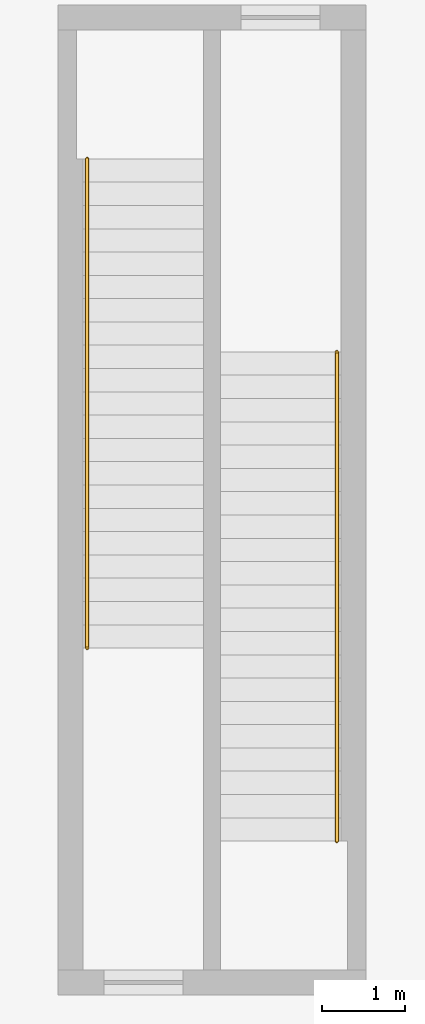
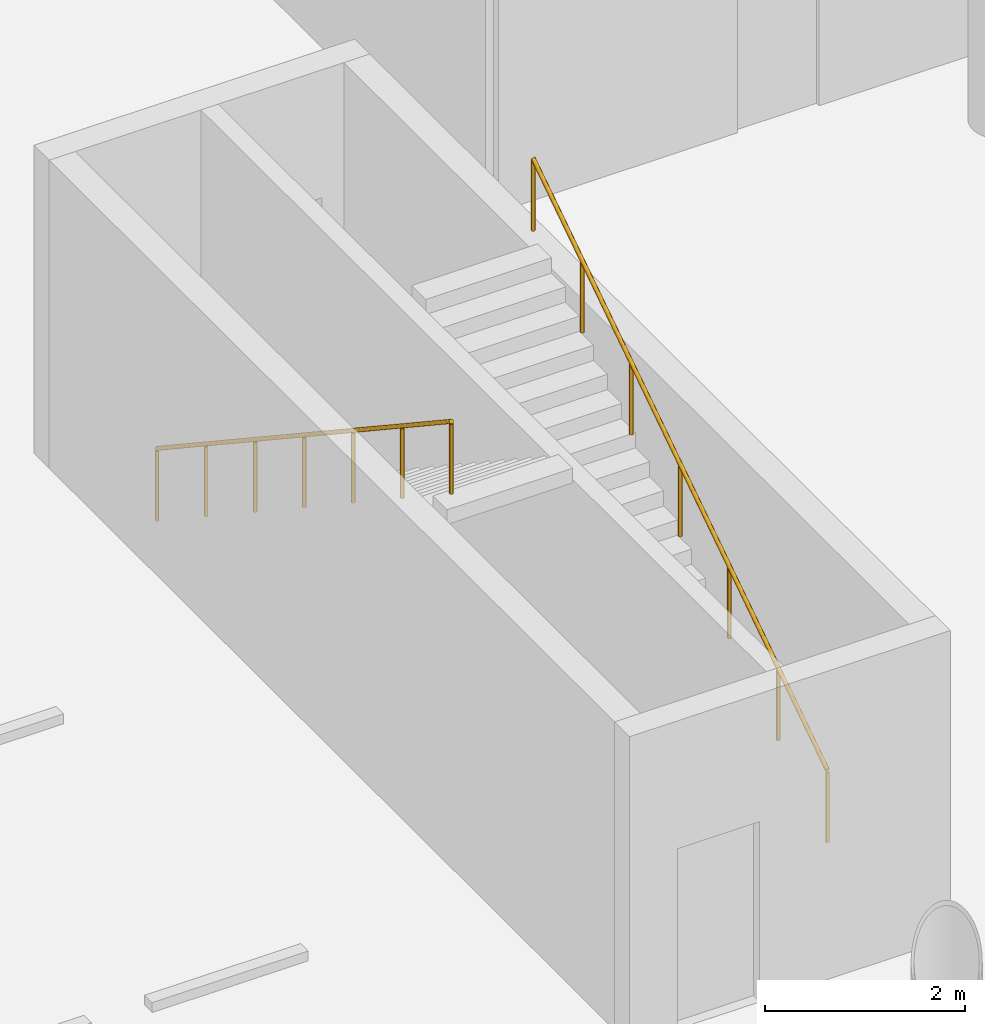
# One storey, part 15 of 15: 2 railings.
"""IFC4 building model written with IfcOpenShell, lengths in metres."""

from ifc_helpers import new_model, si_unit, direction, frame, origin, origin_2d, place, context, subcontext, project, spatial, circle, extrude, material, type_object, element, save


model = new_model("IFC4")

# Units and contexts
model_context = context("Model", 3, precision=1e-05, world=origin(), true_north=direction((0.0, 1.0)))
body_context = subcontext(model_context, "Body", "Model", "MODEL_VIEW")
ifc_project = project(units=[si_unit("LENGTHUNIT", "METRE"), si_unit("AREAUNIT", "SQUARE_METRE"), si_unit("VOLUMEUNIT", "CUBIC_METRE"), si_unit("PLANEANGLEUNIT", "RADIAN"), si_unit("MASSUNIT", "GRAM", prefix="KILO")], contexts=[model_context])

# Site, building, storey
site_placement = place(None, origin())
site = spatial("IfcSite", under=ifc_project, at=site_placement, CompositionType="ELEMENT")
building_placement = place(site_placement, origin())
building = spatial("IfcBuilding", under=site, at=building_placement, Name="Zarrinselat Tower", CompositionType="ELEMENT")
storey_placement = place(building_placement, frame((0.0, 0.0, -4.080078125)))
storey = spatial("IfcBuildingStorey", under=building, at=storey_placement, Name="B01", CompositionType="ELEMENT", Elevation=-4.080078125)

# Railings
ifc_material = material(Name="Steel S355J2", Category="steel")
railing_type = type_object("IfcRailingType", Name="RLG-STAIR-HAND", PredefinedType="HANDRAIL", material=ifc_material)
railing_1_placement = place(storey_placement, frame((69.25, 15.550048828125, 0.185546875)))
element("IfcRailing", 1, at=railing_1_placement, inside=storey, type_object=railing_type, Name="B01 ST-4 stair handrail 1", PredefinedType="HANDRAIL", context=body_context, shape_type="SweptSolid", body=[
    extrude(circle(Radius=0.02392578125, at=origin_2d()), frame((0.0, 0.0, 0.8759765625), z_axis=(0.0, 0.833708162066, 0.55220530648), x_axis=(-1.0, 0.0, 0.0)), (0.0, 0.0, 1.0), 7.052734375),
    extrude(circle(Radius=0.02099609375, at=origin_2d()), origin(), (0.0, 0.0, 1.0), 0.849853515625),
    extrude(circle(Radius=0.02099609375, at=origin_2d()), frame((0.0, 0.97998046875, 0.649169921875)), (0.0, 0.0, 1.0), 0.849853515625),
    extrude(circle(Radius=0.02099609375, at=origin_2d()), frame((0.0, 1.9599609375, 1.298095703125)), (0.0, 0.0, 1.0), 0.849853515625),
    extrude(circle(Radius=0.02099609375, at=origin_2d()), frame((0.0, 2.93994140625, 1.947265625)), (0.0, 0.0, 1.0), 0.849853515625),
    extrude(circle(Radius=0.02099609375, at=origin_2d()), frame((0.0, 3.919921875, 2.596435546875)), (0.0, 0.0, 1.0), 0.849853515625),
    extrude(circle(Radius=0.02099609375, at=origin_2d()), frame((0.0, 4.89990234375, 3.245361328125)), (0.0, 0.0, 1.0), 0.849853515625),
    extrude(circle(Radius=0.02099609375, at=origin_2d()), frame((0.0, 5.8798828125, 3.89453125)), (0.0, 0.0, 1.0), 0.849853515625),
])
railing_2_placement = place(storey_placement, frame((66.25, 23.75, 0.185546875)))
element("IfcRailing", 2, at=railing_2_placement, inside=storey, type_object=railing_type, Name="B01 ST-4 stair handrail 1", PredefinedType="HANDRAIL", context=body_context, shape_type="SweptSolid", body=[
    extrude(circle(Radius=0.02392578125, at=origin_2d()), frame((0.0, 0.0, 0.8759765625), z_axis=(0.0, -0.833708162066, 0.55220530648), x_axis=(1.0, 0.0, 0.0)), (0.0, 0.0, 1.0), 7.052734375),
    extrude(circle(Radius=0.02099609375, at=origin_2d()), origin(), (0.0, 0.0, 1.0), 0.849853515625),
    extrude(circle(Radius=0.02099609375, at=origin_2d()), frame((0.0, -0.97998046875, 0.649169921875)), (0.0, 0.0, 1.0), 0.849853515625),
    extrude(circle(Radius=0.02099609375, at=origin_2d()), frame((0.0, -1.9599609375, 1.298095703125)), (0.0, 0.0, 1.0), 0.849853515625),
    extrude(circle(Radius=0.02099609375, at=origin_2d()), frame((0.0, -2.93994140625, 1.947265625)), (0.0, 0.0, 1.0), 0.849853515625),
    extrude(circle(Radius=0.02099609375, at=origin_2d()), frame((0.0, -3.919921875, 2.596435546875)), (0.0, 0.0, 1.0), 0.849853515625),
    extrude(circle(Radius=0.02099609375, at=origin_2d()), frame((0.0, -4.89990234375, 3.245361328125)), (0.0, 0.0, 1.0), 0.849853515625),
    extrude(circle(Radius=0.02099609375, at=origin_2d()), frame((0.0, -5.8798828125, 3.89453125)), (0.0, 0.0, 1.0), 0.849853515625),
])

save(model, "model.ifc")
